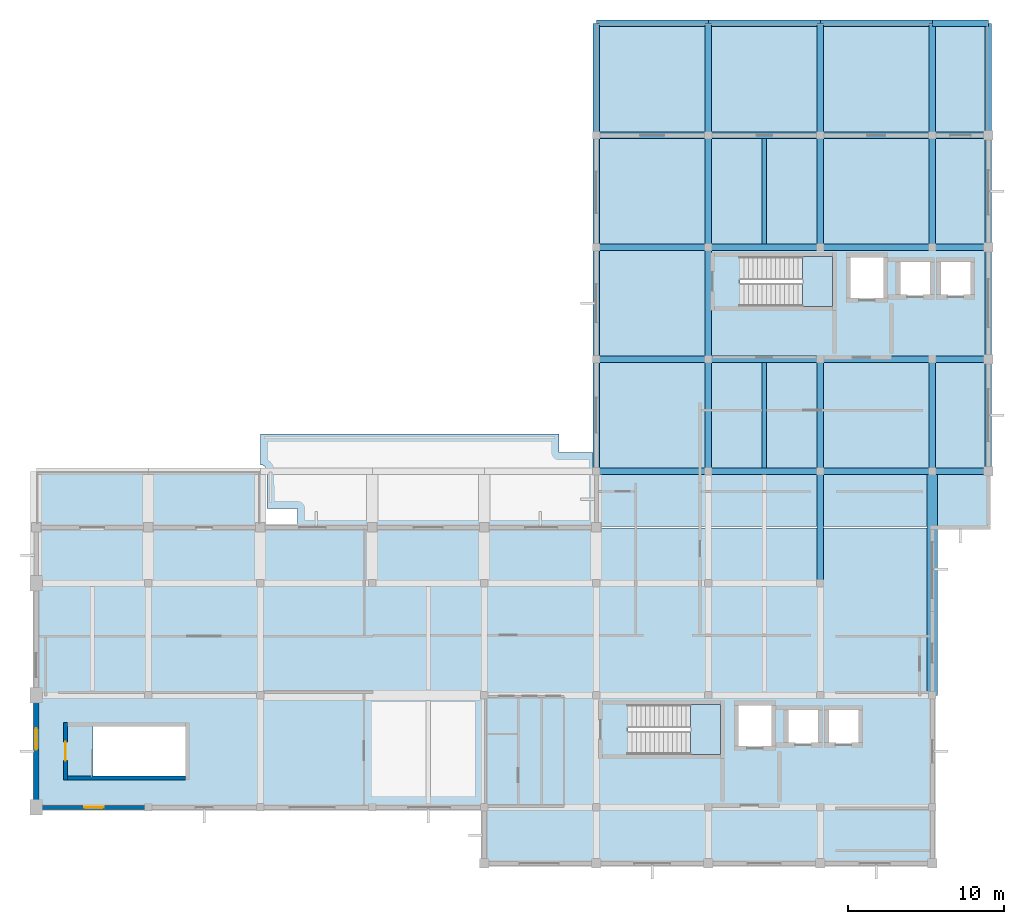
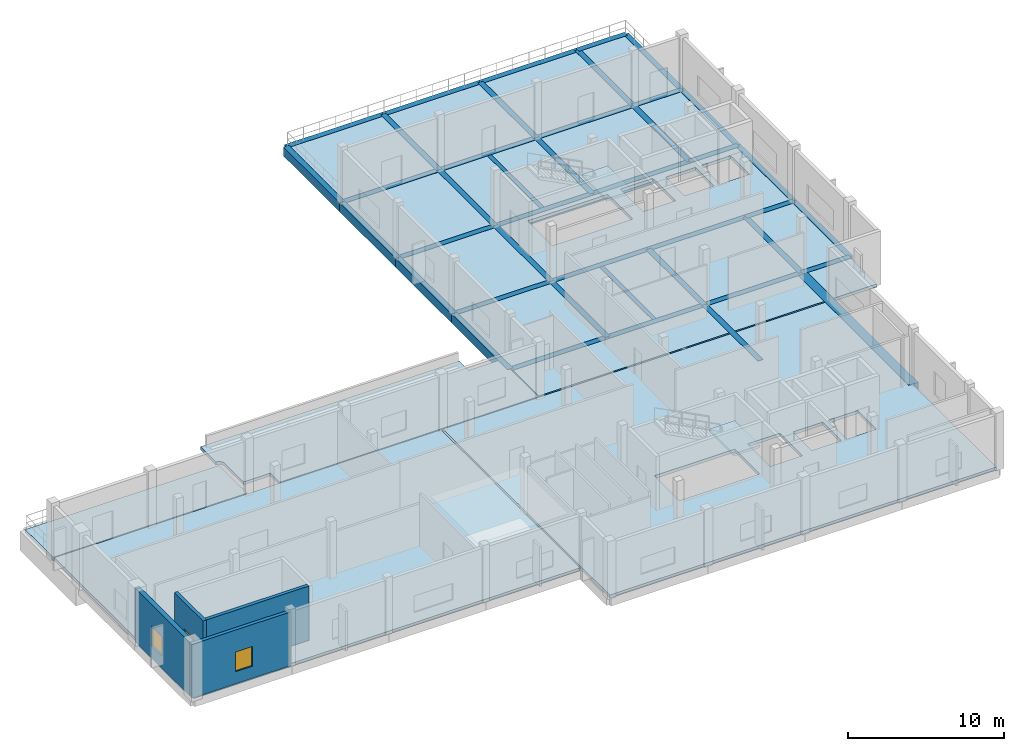
# One storey, part 2 of 9: 42 beams, 8 slabs, 4 walls, 2 windows, 1 door, 3 openings, 2 elements without a shape of their own.
"""IFC4 building model written with IfcOpenShell, lengths in metres."""

import ifcopenshell
import ifcopenshell.guid

model = None  # the IFC model being written
_history = None  # IfcOwnerHistory: only IFC2X3 demands one
_inside = {}  # id of a spatial element -> (the spatial element, [elements in it])
_under = {}  # id of a project, library or spatial element -> (it, [spatial elements below it])
_declared = {}  # id of a project -> (the project, [libraries it declares])
_typed = {}  # id of a type object -> (the type object, [elements of that type])
_made_of = {}  # id of a material, layer set ... -> (it, [elements and type objects made of it])


def new_model(schema):
    """Start an empty IFC model of exactly this schema.

    Asked for "IFC4X3", IfcOpenShell would pick the latest addendum, in which some entities
    have other attributes; the version numbers below select the first issue.
    IFC2X3 requires an IfcOwnerHistory on every rooted entity: one is made here for all.
    """
    global model, _history
    if schema == "IFC4X3":
        model = ifcopenshell.file(schema_version=(4, 3, 0, 0))
    else:
        model = ifcopenshell.file(schema=schema)
    _inside.clear()
    _under.clear()
    _declared.clear()
    _typed.clear()
    _made_of.clear()
    _history = None
    if model.schema == "IFC2X3":
        org = make("IfcOrganization", Name="unknown")
        user = make(
            "IfcPersonAndOrganization",
            ThePerson=make("IfcPerson", FamilyName="unknown"),
            TheOrganization=org,
        )
        app = make(
            "IfcApplication",
            ApplicationDeveloper=org,
            Version="unknown",
            ApplicationFullName="unknown",
            ApplicationIdentifier="unknown",
        )
        _history = make(
            "IfcOwnerHistory",
            OwningUser=user,
            OwningApplication=app,
            ChangeAction="ADDED",
            CreationDate=0,
        )
    return model


def make(cls, **values):
    """One entity of the class cls with the attributes given. An attribute that is None is left unset."""
    return model.create_entity(
        cls, **{name: value for name, value in values.items() if value is not None}
    )


def rooted(cls, **values):
    """An entity with a GlobalId (a new one), such as an element, a storey or a relation."""
    return make(cls, GlobalId=ifcopenshell.guid.new(), OwnerHistory=_history, **values)


def si_unit(unit_type, name, prefix=None):
    """IfcSIUnit, for example si_unit("LENGTHUNIT", "METRE", prefix="MILLI")."""
    return make("IfcSIUnit", UnitType=unit_type, Prefix=prefix, Name=name)


def assignment(units):
    """IfcUnitAssignment: the units of a project."""
    return None if units is None else make("IfcUnitAssignment", Units=units)


def point(xyz):
    """IfcCartesianPoint."""
    return None if xyz is None else make("IfcCartesianPoint", Coordinates=xyz)


def direction(xyz):
    """IfcDirection."""
    return None if xyz is None else make("IfcDirection", DirectionRatios=xyz)


def frame(location, z_axis=None, x_axis=None):
    """IfcAxis2Placement3D, a coordinate frame: its origin and axes. An axis left out is left unset."""
    return make(
        "IfcAxis2Placement3D",
        Location=point(location),
        Axis=direction(z_axis),
        RefDirection=direction(x_axis),
    )


def frame_2d(location, x_axis=None):
    """IfcAxis2Placement2D, a coordinate frame in the plane: its origin and x axis."""
    return make(
        "IfcAxis2Placement2D", Location=point(location), RefDirection=direction(x_axis)
    )


def origin():
    """The frame at (0, 0, 0) with its axes left unset."""
    return frame((0.0, 0.0, 0.0))


def origin_2d():
    """The frame at (0, 0) in the plane with its x axis left unset."""
    return frame_2d((0.0, 0.0))


def place(relative_to, where):
    """IfcLocalPlacement: puts the frame where relative to a parent placement (None: the world)."""
    return make(
        "IfcLocalPlacement", PlacementRelTo=relative_to, RelativePlacement=where
    )


def context(
    kind, dimensions, precision=None, world=None, true_north=None, identifier=None
):
    """IfcGeometricRepresentationContext, for example the 3D "Model" context."""
    return make(
        "IfcGeometricRepresentationContext",
        ContextIdentifier=identifier,
        ContextType=kind,
        CoordinateSpaceDimension=dimensions,
        Precision=precision,
        WorldCoordinateSystem=world,
        TrueNorth=true_north,
    )


def subcontext(parent, identifier, kind, view, scale=None):
    """IfcGeometricRepresentationSubContext, for example "Body" below "Model"."""
    return make(
        "IfcGeometricRepresentationSubContext",
        ContextIdentifier=identifier,
        ContextType=kind,
        ParentContext=parent,
        TargetScale=scale,
        TargetView=view,
    )


def project(units=None, contexts=None):
    """IfcProject with its units and contexts."""
    return rooted(
        "IfcProject",
        Name="project",
        RepresentationContexts=contexts,
        UnitsInContext=assignment(units),
    )


def spatial(cls, under=None, at=None, **own):
    """A site, building, storey or space (cls), placed at a placement, below another one or the project."""
    s = rooted(cls, ObjectPlacement=at, **own)
    if under is not None:
        _under.setdefault(under.id(), (under, []))[1].append(s)
    return s


def polyline(points):
    """IfcPolyline through the points."""
    return make("IfcPolyline", Points=[point(p) for p in points])


def profile(cls, at=None, kind="AREA", **sizes):
    """A parametric profile (cls). Its sizes go by their IFC names, for example OverallWidth=200.0."""
    return make(cls, ProfileType=kind, Position=at, **sizes)


def rectangle(**sizes):
    """IfcRectangleProfileDef."""
    return profile("IfcRectangleProfileDef", **sizes)


def outline(outer, holes=None, kind="AREA"):
    """IfcArbitraryClosedProfileDef: a profile drawn as a closed curve; with holes, ...WithVoids."""
    if holes is None:
        return make("IfcArbitraryClosedProfileDef", ProfileType=kind, OuterCurve=outer)
    return make(
        "IfcArbitraryProfileDefWithVoids",
        ProfileType=kind,
        OuterCurve=outer,
        InnerCurves=holes,
    )


def extrude(swept, where, along, depth):
    """IfcExtrudedAreaSolid: the profile swept, set in the frame where, extruded along a direction by depth."""
    return make(
        "IfcExtrudedAreaSolid",
        SweptArea=swept,
        Position=where,
        ExtrudedDirection=direction(along),
        Depth=depth,
    )


def shape(context_of_items, identifier, shape_type, items):
    """IfcShapeRepresentation: the items that make up one representation, for example the "Body"."""
    return make(
        "IfcShapeRepresentation",
        ContextOfItems=context_of_items,
        RepresentationIdentifier=identifier,
        RepresentationType=shape_type,
        Items=items,
    )


def material(Name=None, Category=None):
    """IfcMaterial."""
    return make("IfcMaterial", Name=Name, Category=Category)


def layer(
    of_material, thickness, ventilated=None, Name=None, Category=None, Priority=None
):
    """IfcMaterialLayer: one layer of a wall or slab, of a material (None: an air gap)."""
    return make(
        "IfcMaterialLayer",
        Material=of_material,
        LayerThickness=thickness,
        IsVentilated=ventilated,
        Name=Name,
        Category=Category,
        Priority=Priority,
    )


def layer_set(layers, Name=None):
    """IfcMaterialLayerSet."""
    return make("IfcMaterialLayerSet", MaterialLayers=layers, LayerSetName=Name)


def material_profile(
    of_material, cross_section, Name=None, Category=None, Priority=None
):
    """IfcMaterialProfile: a cross section and its material."""
    return make(
        "IfcMaterialProfile",
        Name=Name,
        Material=of_material,
        Profile=cross_section,
        Priority=Priority,
        Category=Category,
    )


def profile_set(profiles, Name=None, composite=None):
    """IfcMaterialProfileSet."""
    return make(
        "IfcMaterialProfileSet",
        Name=Name,
        MaterialProfiles=profiles,
        CompositeProfile=composite,
    )


def made_of(thing, what):
    """Note that an element or type object is made of a material, layer set ...; save() writes the relation."""
    if what is not None:
        _made_of.setdefault(what.id(), (what, []))[1].append(thing)
    return thing


def type_object(cls, material=None, **own):
    """A type object (cls), such as IfcWallType, which elements share."""
    return made_of(rooted(cls, **own), material)


def element(
    cls,
    number,
    at=None,
    inside=None,
    cuts=None,
    type_object=None,
    material=None,
    context=None,
    identifier="Body",
    shape_type=None,
    held_by="IfcProductDefinitionShape",
    body=None,
    shapes=None,
    **own,
):
    """One element of the class cls, such as IfcWall. Its Tag is "e" and its number.

    at: its placement. inside: the storey or other place that contains it. cuts: it is an
    opening in that element (IfcRelVoidsElement). A single representation is given by context,
    identifier, shape_type and body (its items); several are given by shapes. held_by: the class
    of the entity that holds the representations. save() writes the other relations.
    """
    e = rooted(cls, Tag="e%d" % number, ObjectPlacement=at, **own)
    if body is not None:
        shapes = [shape(context, identifier, shape_type, body)]
    if shapes is not None:
        e.Representation = make(held_by, Representations=shapes)
    if inside is not None:
        _inside.setdefault(inside.id(), (inside, []))[1].append(e)
    if cuts is not None:
        rooted(
            "IfcRelVoidsElement", RelatingBuildingElement=cuts, RelatedOpeningElement=e
        )
    if type_object is not None:
        _typed.setdefault(type_object.id(), (type_object, []))[1].append(e)
    return made_of(e, material)


def fill(opening, filler):
    """IfcRelFillsElement: the door or window that sits in an opening."""
    return rooted(
        "IfcRelFillsElement",
        RelatingOpeningElement=opening,
        RelatedBuildingElement=filler,
    )


def aggregate(whole, parts):
    """IfcRelAggregates: a whole, such as a stair, and the parts it consists of."""
    return rooted("IfcRelAggregates", RelatingObject=whole, RelatedObjects=parts)


def save(model, path):
    """Write the relations noted so far, then the file.

    IfcRelAggregates (storeys below a building ...), IfcRelContainedInSpatialStructure (elements
    in a storey), IfcRelDefinesByType, IfcRelAssociatesMaterial and IfcRelDeclares: one each for
    every whole, place, type object, material and project.
    """
    for whole, parts in _under.values():
        aggregate(whole, parts)
    for where, things in _inside.values():
        rooted(
            "IfcRelContainedInSpatialStructure",
            RelatedElements=things,
            RelatingStructure=where,
        )
    for kind, things in _typed.values():
        rooted("IfcRelDefinesByType", RelatedObjects=things, RelatingType=kind)
    for what, things in _made_of.values():
        rooted("IfcRelAssociatesMaterial", RelatedObjects=things, RelatingMaterial=what)
    for by, libraries in _declared.values():
        rooted("IfcRelDeclares", RelatingContext=by, RelatedDefinitions=libraries)
    model.write(path)


model = new_model("IFC4")

# Units and contexts
model_context = context("Model", 3, precision=1e-05, world=origin(), true_north=direction((0.0, 1.0)))
body_context = subcontext(model_context, "Body", "Model", "MODEL_VIEW")
ifc_project = project(units=[si_unit("LENGTHUNIT", "METRE"), si_unit("AREAUNIT", "SQUARE_METRE"), si_unit("VOLUMEUNIT", "CUBIC_METRE"), si_unit("PLANEANGLEUNIT", "RADIAN"), si_unit("MASSUNIT", "GRAM", prefix="KILO")], contexts=[model_context])

# Site, building, storey
site_placement = place(None, origin())
site = spatial("IfcSite", under=ifc_project, at=site_placement, CompositionType="ELEMENT")
building_placement = place(site_placement, origin())
building = spatial("IfcBuilding", under=site, at=building_placement, Name="Seraya Terrace Polytechnic", CompositionType="ELEMENT")
storey_placement = place(building_placement, frame((0.0, 0.0, 32.39990234375)))
storey = spatial("IfcBuildingStorey", under=building, at=storey_placement, Name="L07", CompositionType="ELEMENT", Elevation=32.39990234375)

# Beams
ifc_material_1 = material(Name="Concrete C40/50", Category="concrete")
ifc_material_profile_1 = material_profile(ifc_material_1, rectangle(XDim=0.699951171875, YDim=1.300048828125, at=origin_2d()), Name="RC 700x1300")
ifc_profile_set_1 = profile_set([ifc_material_profile_1], Name="Concrete C40/50")
beam_type_1 = type_object("IfcBeamType", Name="BG-01", PredefinedType="USERDEFINED", material=ifc_profile_set_1)
beam_1_placement = place(storey_placement, frame((100.800048828125, 14.39990234375, -0.64990234375), z_axis=(0.0, 1.0, 0.0), x_axis=(-1.0, 0.0, 0.0)))
element("IfcBeam", 1, at=beam_1_placement, inside=storey, type_object=beam_type_1, Name="Beam BG-01 L07 Y (100.8, 14.4..28.8)", ObjectType="GIRDER", PredefinedType="USERDEFINED", context=body_context, shape_type="SweptSolid", body=[
    extrude(rectangle(XDim=0.699951171875, YDim=1.300048828125, at=origin_2d()), origin(), (0.0, 0.0, 1.0), 14.400146484375),
])
ifc_material_profile_2 = material_profile(ifc_material_1, rectangle(XDim=0.419921875, YDim=0.679931640625, at=origin_2d()), Name="RC 420x680")
ifc_profile_set_2 = profile_set([ifc_material_profile_2], Name="Concrete C40/50")
beam_type_2 = type_object("IfcBeamType", Name="BM-09", PredefinedType="BEAM", material=ifc_profile_set_2)
beam_2_placement = place(storey_placement, frame((79.199951171875, 28.800048828125, -0.33984375), z_axis=(1.0, 0.0, 0.0), x_axis=(0.0, 1.0, 0.0)))
element("IfcBeam", 2, at=beam_2_placement, inside=storey, type_object=beam_type_2, Name="Beam BM-09 L07 X (79.2..86.4, 28.8)", PredefinedType="BEAM", context=body_context, shape_type="SweptSolid", body=[
    extrude(rectangle(XDim=0.419921875, YDim=0.679931640625, at=origin_2d()), origin(), (0.0, 0.0, 1.0), 7.199951171875),
])
beam_3_placement = place(storey_placement, frame((86.39990234375, 28.800048828125, -0.33984375), z_axis=(1.0, 0.0, 0.0), x_axis=(0.0, 1.0, 0.0)))
element("IfcBeam", 3, at=beam_3_placement, inside=storey, type_object=beam_type_2, Name="Beam BM-09 L07 X (86.4..93.6, 28.8)", PredefinedType="BEAM", context=body_context, shape_type="SweptSolid", body=[
    extrude(rectangle(XDim=0.419921875, YDim=0.679931640625, at=origin_2d()), origin(), (0.0, 0.0, 1.0), 7.2001953125),
])
beam_4_placement = place(storey_placement, frame((93.60009765625, 28.800048828125, -0.33984375), z_axis=(1.0, 0.0, 0.0), x_axis=(0.0, 1.0, 0.0)))
element("IfcBeam", 4, at=beam_4_placement, inside=storey, type_object=beam_type_2, Name="Beam BM-09 L07 X (93.6..100.8, 28.8)", PredefinedType="BEAM", context=body_context, shape_type="SweptSolid", body=[
    extrude(rectangle(XDim=0.419921875, YDim=0.679931640625, at=origin_2d()), origin(), (0.0, 0.0, 1.0), 7.199951171875),
])
beam_5_placement = place(storey_placement, frame((100.800048828125, 28.800048828125, -0.33984375), z_axis=(1.0, 0.0, 0.0), x_axis=(0.0, 1.0, 0.0)))
element("IfcBeam", 5, at=beam_5_placement, inside=storey, type_object=beam_type_2, Name="Beam BM-09 L07 X (100.8..104.4, 28.8)", PredefinedType="BEAM", context=body_context, shape_type="SweptSolid", body=[
    extrude(rectangle(XDim=0.419921875, YDim=0.679931640625, at=origin_2d()), origin(), (0.0, 0.0, 1.0), 3.599853515625),
])
beam_6_placement = place(storey_placement, frame((79.199951171875, 36.0, -0.33984375), z_axis=(1.0, 0.0, 0.0), x_axis=(0.0, 1.0, 0.0)))
element("IfcBeam", 6, at=beam_6_placement, inside=storey, type_object=beam_type_2, Name="Beam BM-09 L07 X (79.2..86.4, 36.0)", PredefinedType="BEAM", context=body_context, shape_type="SweptSolid", body=[
    extrude(rectangle(XDim=0.419921875, YDim=0.679931640625, at=origin_2d()), origin(), (0.0, 0.0, 1.0), 7.199951171875),
])
beam_7_placement = place(storey_placement, frame((86.39990234375, 36.0, -0.33984375), z_axis=(1.0, 0.0, 0.0), x_axis=(0.0, 1.0, 0.0)))
element("IfcBeam", 7, at=beam_7_placement, inside=storey, type_object=beam_type_2, Name="Beam BM-09 L07 X (86.4..93.6, 36.0)", PredefinedType="BEAM", context=body_context, shape_type="SweptSolid", body=[
    extrude(rectangle(XDim=0.419921875, YDim=0.679931640625, at=origin_2d()), origin(), (0.0, 0.0, 1.0), 7.2001953125),
])
beam_8_placement = place(storey_placement, frame((93.60009765625, 36.0, -0.33984375), z_axis=(1.0, 0.0, 0.0), x_axis=(0.0, 1.0, 0.0)))
element("IfcBeam", 8, at=beam_8_placement, inside=storey, type_object=beam_type_2, Name="Beam BM-09 L07 X (93.6..100.8, 36.0)", PredefinedType="BEAM", context=body_context, shape_type="SweptSolid", body=[
    extrude(rectangle(XDim=0.419921875, YDim=0.679931640625, at=origin_2d()), origin(), (0.0, 0.0, 1.0), 7.199951171875),
])
beam_9_placement = place(storey_placement, frame((100.800048828125, 36.0, -0.33984375), z_axis=(1.0, 0.0, 0.0), x_axis=(0.0, 1.0, 0.0)))
element("IfcBeam", 9, at=beam_9_placement, inside=storey, type_object=beam_type_2, Name="Beam BM-09 L07 X (100.8..104.4, 36.0)", PredefinedType="BEAM", context=body_context, shape_type="SweptSolid", body=[
    extrude(rectangle(XDim=0.419921875, YDim=0.679931640625, at=origin_2d()), origin(), (0.0, 0.0, 1.0), 3.599853515625),
])
beam_10_placement = place(storey_placement, frame((79.199951171875, 43.199951171875, -0.33984375), z_axis=(1.0, 0.0, 0.0), x_axis=(0.0, 1.0, 0.0)))
element("IfcBeam", 10, at=beam_10_placement, inside=storey, type_object=beam_type_2, Name="Beam BM-09 L07 X (79.2..86.4, 43.2)", PredefinedType="BEAM", context=body_context, shape_type="SweptSolid", body=[
    extrude(rectangle(XDim=0.419921875, YDim=0.679931640625, at=origin_2d()), origin(), (0.0, 0.0, 1.0), 7.199951171875),
])
beam_11_placement = place(storey_placement, frame((86.39990234375, 43.199951171875, -0.33984375), z_axis=(1.0, 0.0, 0.0), x_axis=(0.0, 1.0, 0.0)))
element("IfcBeam", 11, at=beam_11_placement, inside=storey, type_object=beam_type_2, Name="Beam BM-09 L07 X (86.4..93.6, 43.2)", PredefinedType="BEAM", context=body_context, shape_type="SweptSolid", body=[
    extrude(rectangle(XDim=0.419921875, YDim=0.679931640625, at=origin_2d()), origin(), (0.0, 0.0, 1.0), 7.2001953125),
])
beam_12_placement = place(storey_placement, frame((93.60009765625, 43.199951171875, -0.33984375), z_axis=(1.0, 0.0, 0.0), x_axis=(0.0, 1.0, 0.0)))
element("IfcBeam", 12, at=beam_12_placement, inside=storey, type_object=beam_type_2, Name="Beam BM-09 L07 X (93.6..100.8, 43.2)", PredefinedType="BEAM", context=body_context, shape_type="SweptSolid", body=[
    extrude(rectangle(XDim=0.419921875, YDim=0.679931640625, at=origin_2d()), origin(), (0.0, 0.0, 1.0), 7.199951171875),
])
beam_13_placement = place(storey_placement, frame((100.800048828125, 43.199951171875, -0.33984375), z_axis=(1.0, 0.0, 0.0), x_axis=(0.0, 1.0, 0.0)))
element("IfcBeam", 13, at=beam_13_placement, inside=storey, type_object=beam_type_2, Name="Beam BM-09 L07 X (100.8..104.4, 43.2)", PredefinedType="BEAM", context=body_context, shape_type="SweptSolid", body=[
    extrude(rectangle(XDim=0.419921875, YDim=0.679931640625, at=origin_2d()), origin(), (0.0, 0.0, 1.0), 3.599853515625),
])
beam_14_placement = place(storey_placement, frame((79.199951171875, 50.39990234375, -0.33984375), z_axis=(1.0, 0.0, 0.0), x_axis=(0.0, 1.0, 0.0)))
element("IfcBeam", 14, at=beam_14_placement, inside=storey, type_object=beam_type_2, Name="Beam BM-09 L07 X (79.2..86.4, 50.4)", PredefinedType="BEAM", context=body_context, shape_type="SweptSolid", body=[
    extrude(rectangle(XDim=0.419921875, YDim=0.679931640625, at=origin_2d()), origin(), (0.0, 0.0, 1.0), 7.199951171875),
])
beam_15_placement = place(storey_placement, frame((86.39990234375, 50.39990234375, -0.33984375), z_axis=(1.0, 0.0, 0.0), x_axis=(0.0, 1.0, 0.0)))
element("IfcBeam", 15, at=beam_15_placement, inside=storey, type_object=beam_type_2, Name="Beam BM-09 L07 X (86.4..93.6, 50.4)", PredefinedType="BEAM", context=body_context, shape_type="SweptSolid", body=[
    extrude(rectangle(XDim=0.419921875, YDim=0.679931640625, at=origin_2d()), origin(), (0.0, 0.0, 1.0), 7.2001953125),
])
beam_16_placement = place(storey_placement, frame((93.60009765625, 50.39990234375, -0.33984375), z_axis=(1.0, 0.0, 0.0), x_axis=(0.0, 1.0, 0.0)))
element("IfcBeam", 16, at=beam_16_placement, inside=storey, type_object=beam_type_2, Name="Beam BM-09 L07 X (93.6..100.8, 50.4)", PredefinedType="BEAM", context=body_context, shape_type="SweptSolid", body=[
    extrude(rectangle(XDim=0.419921875, YDim=0.679931640625, at=origin_2d()), origin(), (0.0, 0.0, 1.0), 7.199951171875),
])
beam_17_placement = place(storey_placement, frame((100.800048828125, 50.39990234375, -0.33984375), z_axis=(1.0, 0.0, 0.0), x_axis=(0.0, 1.0, 0.0)))
element("IfcBeam", 17, at=beam_17_placement, inside=storey, type_object=beam_type_2, Name="Beam BM-09 L07 X (100.8..104.4, 50.4)", PredefinedType="BEAM", context=body_context, shape_type="SweptSolid", body=[
    extrude(rectangle(XDim=0.419921875, YDim=0.679931640625, at=origin_2d()), origin(), (0.0, 0.0, 1.0), 3.599853515625),
])
beam_18_placement = place(storey_placement, frame((79.199951171875, 57.60009765625, -0.33984375), z_axis=(1.0, 0.0, 0.0), x_axis=(0.0, 1.0, 0.0)))
element("IfcBeam", 18, at=beam_18_placement, inside=storey, type_object=beam_type_2, Name="Beam BM-09 L07 X (79.2..86.4, 57.6)", PredefinedType="BEAM", context=body_context, shape_type="SweptSolid", body=[
    extrude(rectangle(XDim=0.419921875, YDim=0.679931640625, at=origin_2d()), origin(), (0.0, 0.0, 1.0), 7.199951171875),
])
beam_19_placement = place(storey_placement, frame((86.39990234375, 57.60009765625, -0.33984375), z_axis=(1.0, 0.0, 0.0), x_axis=(0.0, 1.0, 0.0)))
element("IfcBeam", 19, at=beam_19_placement, inside=storey, type_object=beam_type_2, Name="Beam BM-09 L07 X (86.4..93.6, 57.6)", PredefinedType="BEAM", context=body_context, shape_type="SweptSolid", body=[
    extrude(rectangle(XDim=0.419921875, YDim=0.679931640625, at=origin_2d()), origin(), (0.0, 0.0, 1.0), 7.2001953125),
])
beam_20_placement = place(storey_placement, frame((93.60009765625, 57.60009765625, -0.33984375), z_axis=(1.0, 0.0, 0.0), x_axis=(0.0, 1.0, 0.0)))
element("IfcBeam", 20, at=beam_20_placement, inside=storey, type_object=beam_type_2, Name="Beam BM-09 L07 X (93.6..100.8, 57.6)", PredefinedType="BEAM", context=body_context, shape_type="SweptSolid", body=[
    extrude(rectangle(XDim=0.419921875, YDim=0.679931640625, at=origin_2d()), origin(), (0.0, 0.0, 1.0), 7.199951171875),
])
beam_21_placement = place(storey_placement, frame((100.800048828125, 57.60009765625, -0.33984375), z_axis=(1.0, 0.0, 0.0), x_axis=(0.0, 1.0, 0.0)))
element("IfcBeam", 21, at=beam_21_placement, inside=storey, type_object=beam_type_2, Name="Beam BM-09 L07 X (100.8..104.4, 57.6)", PredefinedType="BEAM", context=body_context, shape_type="SweptSolid", body=[
    extrude(rectangle(XDim=0.419921875, YDim=0.679931640625, at=origin_2d()), origin(), (0.0, 0.0, 1.0), 3.599853515625),
])
ifc_material_profile_3 = material_profile(ifc_material_1, rectangle(XDim=0.39990234375, YDim=0.699951171875, at=origin_2d()), Name="RC 400x700")
ifc_profile_set_3 = profile_set([ifc_material_profile_3], Name="Concrete C40/50")
beam_type_3 = type_object("IfcBeamType", Name="BM-10", PredefinedType="BEAM", material=ifc_profile_set_3)
for number, where, z_axis, x_axis, name in (
    (22, (79.199951171875, 28.800048828125, -0.349853515625), (0.0, 1.0, 0.0), (-1.0, 0.0, 0.0), "Beam BM-10 L07 Y (79.2, 28.8..36.0)"),
    (23, (79.199951171875, 36.0, -0.349853515625), (0.0, 1.0, 0.0), (-1.0, 0.0, 0.0), "Beam BM-10 L07 Y (79.2, 36.0..43.2)"),
    (24, (79.199951171875, 43.199951171875, -0.349853515625), (0.0, 1.0, 0.0), (-1.0, 0.0, 0.0), "Beam BM-10 L07 Y (79.2, 43.2..50.4)"),
):
    element("IfcBeam", number, at=place(storey_placement, frame(where, z_axis=z_axis, x_axis=x_axis)), inside=storey, type_object=beam_type_3, Name=name, PredefinedType="BEAM", context=body_context, shape_type="SweptSolid", body=[
        extrude(rectangle(XDim=0.39990234375, YDim=0.699951171875, at=origin_2d()), origin(), (0.0, 0.0, 1.0), 7.199951171875),
    ])
beam_22_placement = place(storey_placement, frame((79.199951171875, 50.39990234375, -0.349853515625), z_axis=(0.0, 1.0, 0.0), x_axis=(-1.0, 0.0, 0.0)))
element("IfcBeam", 25, at=beam_22_placement, inside=storey, type_object=beam_type_3, Name="Beam BM-10 L07 Y (79.2, 50.4..57.6)", PredefinedType="BEAM", context=body_context, shape_type="SweptSolid", body=[
    extrude(rectangle(XDim=0.39990234375, YDim=0.699951171875, at=origin_2d()), origin(), (0.0, 0.0, 1.0), 7.2001953125),
])
for number, where, z_axis, x_axis, name in (
    (26, (86.39990234375, 28.800048828125, -0.349853515625), (0.0, 1.0, 0.0), (-1.0, 0.0, 0.0), "Beam BM-10 L07 Y (86.4, 28.8..36.0)"),
    (27, (86.39990234375, 36.0, -0.349853515625), (0.0, 1.0, 0.0), (-1.0, 0.0, 0.0), "Beam BM-10 L07 Y (86.4, 36.0..43.2)"),
    (28, (86.39990234375, 43.199951171875, -0.349853515625), (0.0, 1.0, 0.0), (-1.0, 0.0, 0.0), "Beam BM-10 L07 Y (86.4, 43.2..50.4)"),
):
    element("IfcBeam", number, at=place(storey_placement, frame(where, z_axis=z_axis, x_axis=x_axis)), inside=storey, type_object=beam_type_3, Name=name, PredefinedType="BEAM", context=body_context, shape_type="SweptSolid", body=[
        extrude(rectangle(XDim=0.39990234375, YDim=0.699951171875, at=origin_2d()), origin(), (0.0, 0.0, 1.0), 7.199951171875),
    ])
beam_23_placement = place(storey_placement, frame((86.39990234375, 50.39990234375, -0.349853515625), z_axis=(0.0, 1.0, 0.0), x_axis=(-1.0, 0.0, 0.0)))
element("IfcBeam", 29, at=beam_23_placement, inside=storey, type_object=beam_type_3, Name="Beam BM-10 L07 Y (86.4, 50.4..57.6)", PredefinedType="BEAM", context=body_context, shape_type="SweptSolid", body=[
    extrude(rectangle(XDim=0.39990234375, YDim=0.699951171875, at=origin_2d()), origin(), (0.0, 0.0, 1.0), 7.2001953125),
])
for number, where, z_axis, x_axis, name in (
    (30, (93.60009765625, 21.60009765625, -0.349853515625), (0.0, 1.0, 0.0), (-1.0, 0.0, 0.0), "Beam BM-10 L07 Y (93.6, 21.6..28.8)"),
    (31, (93.60009765625, 28.800048828125, -0.349853515625), (0.0, 1.0, 0.0), (-1.0, 0.0, 0.0), "Beam BM-10 L07 Y (93.6, 28.8..36.0)"),
    (32, (93.60009765625, 43.199951171875, -0.349853515625), (0.0, 1.0, 0.0), (-1.0, 0.0, 0.0), "Beam BM-10 L07 Y (93.6, 43.2..50.4)"),
):
    element("IfcBeam", number, at=place(storey_placement, frame(where, z_axis=z_axis, x_axis=x_axis)), inside=storey, type_object=beam_type_3, Name=name, PredefinedType="BEAM", context=body_context, shape_type="SweptSolid", body=[
        extrude(rectangle(XDim=0.39990234375, YDim=0.699951171875, at=origin_2d()), origin(), (0.0, 0.0, 1.0), 7.199951171875),
    ])
beam_24_placement = place(storey_placement, frame((93.60009765625, 50.39990234375, -0.349853515625), z_axis=(0.0, 1.0, 0.0), x_axis=(-1.0, 0.0, 0.0)))
element("IfcBeam", 33, at=beam_24_placement, inside=storey, type_object=beam_type_3, Name="Beam BM-10 L07 Y (93.6, 50.4..57.6)", PredefinedType="BEAM", context=body_context, shape_type="SweptSolid", body=[
    extrude(rectangle(XDim=0.39990234375, YDim=0.699951171875, at=origin_2d()), origin(), (0.0, 0.0, 1.0), 7.2001953125),
])
for number, where, z_axis, x_axis, name in (
    (34, (100.800048828125, 28.800048828125, -0.349853515625), (0.0, 1.0, 0.0), (-1.0, 0.0, 0.0), "Beam BM-10 L07 Y (100.8, 28.8..36.0)"),
    (35, (100.800048828125, 43.199951171875, -0.349853515625), (0.0, 1.0, 0.0), (-1.0, 0.0, 0.0), "Beam BM-10 L07 Y (100.8, 43.2..50.4)"),
):
    element("IfcBeam", number, at=place(storey_placement, frame(where, z_axis=z_axis, x_axis=x_axis)), inside=storey, type_object=beam_type_3, Name=name, PredefinedType="BEAM", context=body_context, shape_type="SweptSolid", body=[
        extrude(rectangle(XDim=0.39990234375, YDim=0.699951171875, at=origin_2d()), origin(), (0.0, 0.0, 1.0), 7.199951171875),
    ])
beam_25_placement = place(storey_placement, frame((100.800048828125, 50.39990234375, -0.349853515625), z_axis=(0.0, 1.0, 0.0), x_axis=(-1.0, 0.0, 0.0)))
element("IfcBeam", 36, at=beam_25_placement, inside=storey, type_object=beam_type_3, Name="Beam BM-10 L07 Y (100.8, 50.4..57.6)", PredefinedType="BEAM", context=body_context, shape_type="SweptSolid", body=[
    extrude(rectangle(XDim=0.39990234375, YDim=0.699951171875, at=origin_2d()), origin(), (0.0, 0.0, 1.0), 7.2001953125),
])
for number, where, z_axis, x_axis, name in (
    (37, (104.39990234375, 28.800048828125, -0.349853515625), (0.0, 1.0, 0.0), (-1.0, 0.0, 0.0), "Beam BM-10 L07 Y (104.4, 28.8..36.0)"),
    (38, (104.39990234375, 36.0, -0.349853515625), (0.0, 1.0, 0.0), (-1.0, 0.0, 0.0), "Beam BM-10 L07 Y (104.4, 36.0..43.2)"),
    (39, (104.39990234375, 43.199951171875, -0.349853515625), (0.0, 1.0, 0.0), (-1.0, 0.0, 0.0), "Beam BM-10 L07 Y (104.4, 43.2..50.4)"),
):
    element("IfcBeam", number, at=place(storey_placement, frame(where, z_axis=z_axis, x_axis=x_axis)), inside=storey, type_object=beam_type_3, Name=name, PredefinedType="BEAM", context=body_context, shape_type="SweptSolid", body=[
        extrude(rectangle(XDim=0.39990234375, YDim=0.699951171875, at=origin_2d()), origin(), (0.0, 0.0, 1.0), 7.199951171875),
    ])
beam_26_placement = place(storey_placement, frame((104.39990234375, 50.39990234375, -0.349853515625), z_axis=(0.0, 1.0, 0.0), x_axis=(-1.0, 0.0, 0.0)))
element("IfcBeam", 40, at=beam_26_placement, inside=storey, type_object=beam_type_3, Name="Beam BM-10 L07 Y (104.4, 50.4..57.6)", PredefinedType="BEAM", context=body_context, shape_type="SweptSolid", body=[
    extrude(rectangle(XDim=0.39990234375, YDim=0.699951171875, at=origin_2d()), origin(), (0.0, 0.0, 1.0), 7.2001953125),
])
ifc_material_profile_4 = material_profile(ifc_material_1, rectangle(XDim=0.300048828125, YDim=0.449951171875, at=origin_2d()), Name="RC 300x450")
ifc_profile_set_4 = profile_set([ifc_material_profile_4], Name="Concrete C40/50")
beam_type_4 = type_object("IfcBeamType", Name="JS-06", PredefinedType="JOIST", material=ifc_profile_set_4)
for number, where, z_axis, x_axis, name in (
    (41, (90.0, 29.010009765625, -0.224853515625), (0.0, 1.0, 0.0), (-1.0, 0.0, 0.0), "Secondary joist JS-06 L07"),
    (42, (90.0, 43.409912109375, -0.224853515625), (0.0, 1.0, 0.0), (-1.0, 0.0, 0.0), "Secondary joist JS-06 L07"),
):
    element("IfcBeam", number, at=place(storey_placement, frame(where, z_axis=z_axis, x_axis=x_axis)), inside=storey, type_object=beam_type_4, Name=name, PredefinedType="JOIST", context=body_context, shape_type="SweptSolid", body=[
        extrude(rectangle(XDim=0.300048828125, YDim=0.449951171875, at=origin_2d()), origin(), (0.0, 0.0, 1.0), 6.780029296875),
    ])

# Slabs
ifc_layer_1 = layer(ifc_material_1, 0.239990234375, Name="FS-12")
ifc_layer_set_1 = layer_set([ifc_layer_1], Name="Concrete C40/50")
slab_type_1 = type_object("IfcSlabType", Name="FS-12", PredefinedType="FLOOR", material=ifc_layer_set_1)
slab_1_placement = place(storey_placement, frame((0.0, 0.0, -0.239990234375)))
element("IfcSlab", 43, at=slab_1_placement, inside=storey, type_object=slab_type_1, Name="Floor slab SLB-V2-SOUTHW-L07-S1 (FS-12)", PredefinedType="FLOOR", context=body_context, shape_type="SweptSolid", body=[
    extrude(outline(polyline([(43.260009765625, 7.260009765625), (43.260009765625, 25.139892578125), (71.93994140625, 25.139892578125), (71.93994140625, 7.260009765625), (43.260009765625, 7.260009765625)]), holes=[polyline([(46.840087890625, 12.39990234375), (46.840087890625, 9.199951171875), (52.800048828125, 9.199951171875), (52.800048828125, 12.39990234375), (46.840087890625, 12.39990234375)])]), origin(), (0.0, 0.0, 1.0), 0.239990234375),
])
slab_2_placement = place(storey_placement, frame((0.0, 0.0, -0.239990234375)))
element("IfcSlab", 44, at=slab_2_placement, inside=storey, type_object=slab_type_1, Name="Floor slab SLB-V2-SOUTHE-L07-S1 (FS-12)", PredefinedType="FLOOR", context=body_context, shape_type="SweptSolid", body=[
    extrude(outline(polyline([(72.06005859375, 25.139892578125), (100.739990234375, 25.139892578125), (100.739990234375, 3.659912109375), (72.06005859375, 3.659912109375), (72.06005859375, 25.139892578125)]), holes=[polyline([(81.239990234375, 10.60009765625), (87.199951171875, 10.60009765625), (87.199951171875, 13.800048828125), (81.239990234375, 13.800048828125), (81.239990234375, 10.60009765625)]), polyline([(91.39990234375, 11.199951171875), (93.60009765625, 11.199951171875), (93.60009765625, 13.60009765625), (91.39990234375, 13.60009765625), (91.39990234375, 11.199951171875)]), polyline([(94.0, 11.199951171875), (96.199951171875, 11.199951171875), (96.199951171875, 13.60009765625), (94.0, 13.60009765625), (94.0, 11.199951171875)]), polyline([(88.199951171875, 11.0), (90.60009765625, 11.0), (90.60009765625, 13.89990234375), (88.199951171875, 13.89990234375), (88.199951171875, 11.0)])]), origin(), (0.0, 0.0, 1.0), 0.239990234375),
])
slab_3_placement = place(storey_placement, frame((0.0, 0.0, -0.239990234375)))
element("IfcSlab", 45, at=slab_3_placement, inside=storey, type_object=slab_type_1, Name="Floor slab SLB-V2-SPINE-L07-S1 (FS-12)", PredefinedType="FLOOR", context=body_context, shape_type="SweptSolid", body=[
    extrude(outline(polyline([(79.260009765625, 50.340087890625), (104.340087890625, 50.340087890625), (104.340087890625, 25.260009765625), (79.260009765625, 25.260009765625), (79.260009765625, 50.340087890625)]), holes=[polyline([(88.43994140625, 39.39990234375), (94.39990234375, 39.39990234375), (94.39990234375, 42.60009765625), (88.43994140625, 42.60009765625), (88.43994140625, 39.39990234375)]), polyline([(98.60009765625, 40.0), (100.800048828125, 40.0), (100.800048828125, 42.39990234375), (98.60009765625, 42.39990234375), (98.60009765625, 40.0)]), polyline([(101.199951171875, 42.39990234375), (101.199951171875, 40.0), (103.39990234375, 40.0), (103.39990234375, 42.39990234375), (101.199951171875, 42.39990234375)]), polyline([(95.39990234375, 42.699951171875), (95.39990234375, 39.800048828125), (97.800048828125, 39.800048828125), (97.800048828125, 42.699951171875), (95.39990234375, 42.699951171875)])]), origin(), (0.0, 0.0, 1.0), 0.239990234375),
])
ifc_material_2 = material(Name="Precast concrete C40/50", Category="concrete")
ifc_layer_2 = layer(ifc_material_2, 0.22998046875, Name="RS-03")
ifc_layer_set_2 = layer_set([ifc_layer_2], Name="Precast concrete C40/50")
slab_type_2 = type_object("IfcSlabType", Name="RS-03", PredefinedType="ROOF", material=ifc_layer_set_2)
slab_4_placement = place(storey_placement, frame((0.0, 0.0, -0.22998046875)))
element("IfcSlab", 46, at=slab_4_placement, inside=storey, type_object=slab_type_2, Name="Sculpted overhanging precast roof plate ROOF-L07-COURTRIM", PredefinedType="ROOF", context=body_context, shape_type="SweptSolid", body=[
    extrude(outline(polyline([(57.60009765625, 31.199951171875), (76.800048828125, 31.199951171875), (76.800048828125, 30.0), (79.199951171875, 30.0), (79.199951171875, 25.199951171875), (60.0, 25.199951171875), (60.0, 26.39990234375), (58.02001953125, 26.39990234375), (58.01806640625, 28.84130859375), (57.988037109375, 28.960693359375), (57.94921875, 29.033203125), (57.89697265625, 29.096923828125), (57.833251953125, 29.149169921875), (57.7607421875, 29.18798828125), (57.681884765625, 29.2119140625), (57.60009765625, 29.219970703125), (57.60009765625, 31.199951171875)])), origin(), (0.0, 0.0, 1.0), 0.22998046875),
])

# Stair, slab
stair_type = type_object("IfcStairType", Name="ST-T2", PredefinedType="HALF_TURN_STAIR", material=ifc_material_1)
stair_1_placement = place(storey_placement, origin())
stair_1 = element("IfcStair", 47, at=stair_1_placement, inside=storey, type_object=stair_type, Name="L07 Protected exit stair ST-01", PredefinedType="HALF_TURN_STAIR")
ifc_layer_3 = layer(ifc_material_1, 0.199951171875, Name="SL-01")
ifc_layer_set_3 = layer_set([ifc_layer_3], Name="Concrete C40/50")
slab_type_3 = type_object("IfcSlabType", Name="SL-01", PredefinedType="LANDING", material=ifc_layer_set_3)
slab_5_placement = place(storey_placement, frame((0.0, 0.0, 2.050048828125)))
slab_5 = element("IfcSlab", 48, at=slab_5_placement, type_object=slab_type_3, Name="ST-01 landing 1", PredefinedType="LANDING", context=body_context, shape_type="SweptSolid", body=[
    extrude(outline(polyline([(85.260009765625, 10.60009765625), (87.199951171875, 10.60009765625), (87.199951171875, 13.800048828125), (85.260009765625, 13.800048828125), (85.260009765625, 10.60009765625)])), origin(), (0.0, 0.0, 1.0), 0.199951171875),
])
aggregate(stair_1, [slab_5])

stair_2_placement = place(storey_placement, origin())
stair_2 = element("IfcStair", 49, at=stair_2_placement, inside=storey, type_object=stair_type, Name="L07 Protected exit stair ST-02", PredefinedType="HALF_TURN_STAIR")
slab_6_placement = place(storey_placement, frame((0.0, 0.0, 2.050048828125)))
slab_6 = element("IfcSlab", 50, at=slab_6_placement, type_object=slab_type_3, Name="ST-02 landing 1", PredefinedType="LANDING", context=body_context, shape_type="SweptSolid", body=[
    extrude(outline(polyline([(92.4599609375, 39.39990234375), (94.39990234375, 39.39990234375), (94.39990234375, 42.60009765625), (92.4599609375, 42.60009765625), (92.4599609375, 39.39990234375)])), origin(), (0.0, 0.0, 1.0), 0.199951171875),
])
aggregate(stair_2, [slab_6])

# Slabs
ifc_layer_4 = layer(ifc_material_1, 0.27001953125, Name="TS-06")
ifc_layer_set_4 = layer_set([ifc_layer_4], Name="Concrete C40/50")
slab_type_4 = type_object("IfcSlabType", Name="TS-06", PredefinedType="FLOOR", material=ifc_layer_set_4)
slab_7_placement = place(storey_placement, frame((0.0, 0.0, -0.27001953125)))
element("IfcSlab", 51, at=slab_7_placement, inside=storey, type_object=slab_type_4, Name="Planted study terrace slab TERR-L07-W", PredefinedType="FLOOR", context=body_context, shape_type="SweptSolid", body=[
    extrude(outline(polyline([(43.199951171875, 25.199951171875), (43.199951171875, 28.800048828125), (57.60009765625, 28.800048828125), (57.60009765625, 25.199951171875), (43.199951171875, 25.199951171875)])), origin(), (0.0, 0.0, 1.0), 0.27001953125),
])
slab_8_placement = place(storey_placement, frame((0.0, 0.0, -0.27001953125)))
element("IfcSlab", 52, at=slab_8_placement, inside=storey, type_object=slab_type_4, Name="Planted study terrace slab TERR-L07-N", PredefinedType="FLOOR", context=body_context, shape_type="SweptSolid", body=[
    extrude(outline(polyline([(79.199951171875, 50.39990234375), (79.199951171875, 57.60009765625), (104.39990234375, 57.60009765625), (104.39990234375, 50.39990234375), (79.199951171875, 50.39990234375)])), origin(), (0.0, 0.0, 1.0), 0.27001953125),
])

# Wall, opening, window
ifc_layer_5 = layer(ifc_material_2, 0.260009765625, Name="EW-03")
ifc_layer_set_5 = layer_set([ifc_layer_5], Name="Precast concrete C40/50")
wall_type_1 = type_object("IfcWallType", Name="EW-03", PredefinedType="SOLIDWALL", material=ifc_layer_set_5)
wall_1_placement = place(storey_placement, frame((50.39990234375, 7.199951171875, 0.0), z_axis=(0.0, 0.0, 1.0), x_axis=(-1.0, 0.0, 0.0)))
wall_1 = element("IfcWall", 53, at=wall_1_placement, inside=storey, type_object=wall_type_1, Name="Exterior structural wall EW-03 L07", PredefinedType="SOLIDWALL", context=body_context, shape_type="SweptSolid", body=[
    extrude(rectangle(XDim=7.349853515625, YDim=0.260009765625, at=frame_2d((3.6748046875, 0.0))), origin(), (0.0, 0.0, 1.0), 4.22021484375),
])
opening_1_placement = place(wall_1_placement, frame((2.875, 0.0, 0.949951171875)))
opening_1 = element("IfcOpeningElement", 54, at=opening_1_placement, cuts=wall_1, Name="Opening WN-14", PredefinedType="OPENING", context=body_context, shape_type="SweptSolid", body=[
    extrude(rectangle(XDim=1.25, YDim=1.550048828125, at=frame_2d((0.625, 0.77490234375))), frame((0.0, 0.14208984375, 0.0), z_axis=(0.0, -1.0, 0.0), x_axis=(1.0, 0.0, 0.0)), (0.0, 0.0, 1.0), 0.283935546875),
])
ifc_material_3 = material(Name="Laminated solar-control Low-E double glazing", Category="glass")
window_type_1 = type_object("IfcWindowType", Name="WN-14", PartitioningType="SINGLE_PANEL", PredefinedType="WINDOW", material=ifc_material_3)
window_1_placement = place(opening_1_placement, origin())
window_1 = element("IfcWindow", 55, at=window_1_placement, inside=storey, type_object=window_type_1, Name="Exterior window WN-14 L07", OverallHeight=1.550048828125, OverallWidth=1.25, PartitioningType="SINGLE_PANEL", PredefinedType="WINDOW", context=body_context, shape_type="SweptSolid", body=[
    extrude(rectangle(XDim=1.25, YDim=1.550048828125, at=frame_2d((0.625, 0.77490234375))), frame((0.0, 0.030029296875, 0.0), z_axis=(0.0, -1.0, 0.0), x_axis=(1.0, 0.0, 0.0)), (0.0, 0.0, 1.0), 0.06005859375),
])
fill(opening_1, window_1)

ifc_layer_6 = layer(ifc_material_1, 0.330078125, Name="EW-06")
ifc_layer_set_6 = layer_set([ifc_layer_6], Name="Concrete C40/50")
wall_type_2 = type_object("IfcWallType", Name="EW-06", PredefinedType="SOLIDWALL", material=ifc_layer_set_6)
wall_2_placement = place(storey_placement, frame((43.199951171875, 7.365966796875, 0.0), z_axis=(0.0, 0.0, 1.0), x_axis=(0.0, 1.0, 0.0)))
wall_2 = element("IfcWall", 56, at=wall_2_placement, inside=storey, type_object=wall_type_2, Name="Exterior structural wall EW-06 L07", PredefinedType="SOLIDWALL", context=body_context, shape_type="SweptSolid", body=[
    extrude(rectangle(XDim=7.033935546875, YDim=0.330078125, at=frame_2d((3.51708984375, 0.0))), origin(), (0.0, 0.0, 1.0), 4.22021484375),
])
opening_2_placement = place(wall_2_placement, frame((3.52392578125, 0.0, 0.949951171875)))
opening_2 = element("IfcOpeningElement", 57, at=opening_2_placement, cuts=wall_2, Name="Opening WN-15", PredefinedType="OPENING", context=body_context, shape_type="SweptSolid", body=[
    extrude(rectangle(XDim=1.39990234375, YDim=1.550048828125, at=frame_2d((0.699951171875, 0.77490234375))), frame((0.0, 0.177001953125, 0.0), z_axis=(0.0, -1.0, 0.0), x_axis=(1.0, 0.0, 0.0)), (0.0, 0.0, 1.0), 0.35400390625),
])
window_type_2 = type_object("IfcWindowType", Name="WN-15", PartitioningType="SINGLE_PANEL", PredefinedType="WINDOW", material=ifc_material_3)
window_2_placement = place(opening_2_placement, origin())
window_2 = element("IfcWindow", 58, at=window_2_placement, inside=storey, type_object=window_type_2, Name="Exterior window WN-15 L07", OverallHeight=1.550048828125, OverallWidth=1.39990234375, PartitioningType="SINGLE_PANEL", PredefinedType="WINDOW", context=body_context, shape_type="SweptSolid", body=[
    extrude(rectangle(XDim=1.39990234375, YDim=1.550048828125, at=frame_2d((0.699951171875, 0.77490234375))), frame((0.0, 0.030029296875, 0.0), z_axis=(0.0, -1.0, 0.0), x_axis=(1.0, 0.0, 0.0)), (0.0, 0.0, 1.0), 0.06005859375),
])
fill(opening_2, window_2)

# Wall, opening, door
ifc_layer_7 = layer(ifc_material_1, 0.25, Name="SW-02")
ifc_layer_set_7 = layer_set([ifc_layer_7], Name="Concrete C40/50")
wall_type_3 = type_object("IfcWallType", Name="SW-02", PredefinedType="SHEAR", material=ifc_layer_set_7)
wall_3_placement = place(storey_placement, frame((45.074951171875, 8.949951171875, 0.0), z_axis=(0.0, 0.0, 1.0), x_axis=(0.0, 1.0, 0.0)))
wall_3 = element("IfcWall", 59, at=wall_3_placement, inside=storey, type_object=wall_type_3, Name="Stairwell ST-03 West wall L07", PredefinedType="SHEAR", context=body_context, shape_type="SweptSolid", body=[
    extrude(rectangle(XDim=3.699951171875, YDim=0.25, at=frame_2d((1.85009765625, 0.0))), origin(), (0.0, 0.0, 1.0), 4.25),
])
opening_3_placement = place(wall_3_placement, frame((1.25, 0.0, 0.0)))
opening_3 = element("IfcOpeningElement", 60, at=opening_3_placement, cuts=wall_3, Name="Opening FD-01", PredefinedType="OPENING", context=body_context, shape_type="SweptSolid", body=[
    extrude(rectangle(XDim=1.199951171875, YDim=2.14990234375, at=frame_2d((0.60009765625, 1.074951171875))), frame((0.0, 0.136962890625, 0.0), z_axis=(0.0, -1.0, 0.0), x_axis=(1.0, 0.0, 0.0)), (0.0, 0.0, 1.0), 0.27392578125),
])
ifc_material_4 = material(Name="Steel S355J2", Category="steel")
door_type = type_object("IfcDoorType", Name="FD-01", OperationType="NOTDEFINED", PredefinedType="DOOR", material=ifc_material_4)
door_placement = place(opening_3_placement, frame((1.199951171875, 0.0, 0.0), z_axis=(0.0, 0.0, 1.0), x_axis=(-1.0, 0.0, 0.0)))
door = element("IfcDoor", 61, at=door_placement, inside=storey, type_object=door_type, Name="Door FD-01 DR-STR-ST-03-L07 in WL-STR-ST-03-L07-W", OperationType="SINGLE_SWING_LEFT", OverallHeight=2.14990234375, OverallWidth=1.199951171875, PredefinedType="DOOR", context=body_context, shape_type="SweptSolid", body=[
    extrude(rectangle(XDim=1.199951171875, YDim=2.14990234375, at=frame_2d((0.60009765625, 1.074951171875))), frame((0.0, 0.02490234375, 0.0), z_axis=(0.0, -1.0, 0.0), x_axis=(1.0, 0.0, 0.0)), (0.0, 0.0, 1.0), 0.050048828125),
])
fill(opening_3, door)

# Wall
wall_4_placement = place(storey_placement, frame((45.199951171875, 9.074951171875, 0.0), z_axis=(0.0, 0.0, 1.0), x_axis=(1.0, 0.0, 0.0)))
element("IfcWall", 62, at=wall_4_placement, inside=storey, type_object=wall_type_3, Name="Stairwell ST-03 South wall L07", PredefinedType="SHEAR", context=body_context, shape_type="SweptSolid", body=[
    extrude(rectangle(XDim=7.60009765625, YDim=0.25, at=frame_2d((3.800048828125, 0.0))), origin(), (0.0, 0.0, 1.0), 4.25),
])

save(model, "model.ifc")
